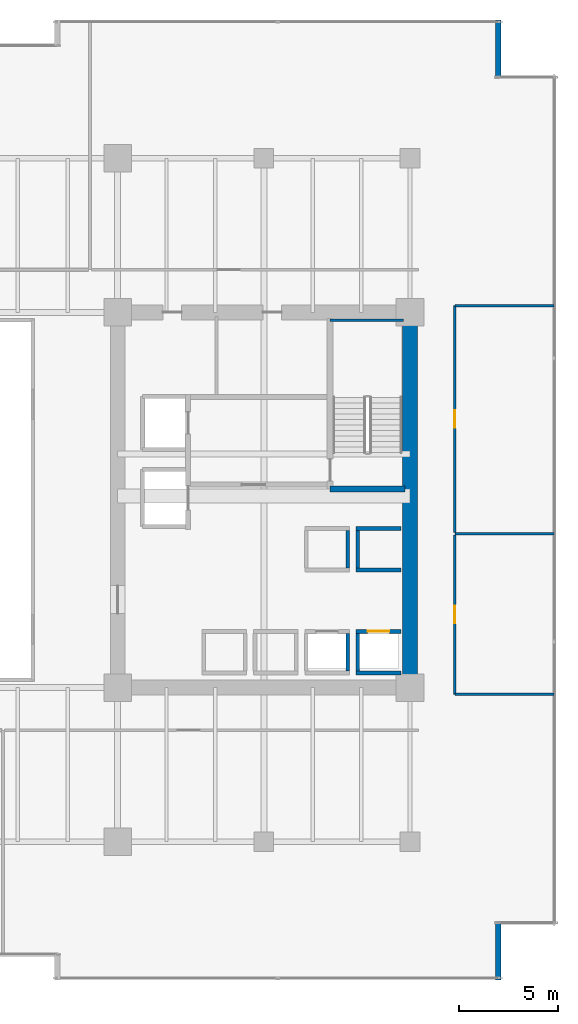
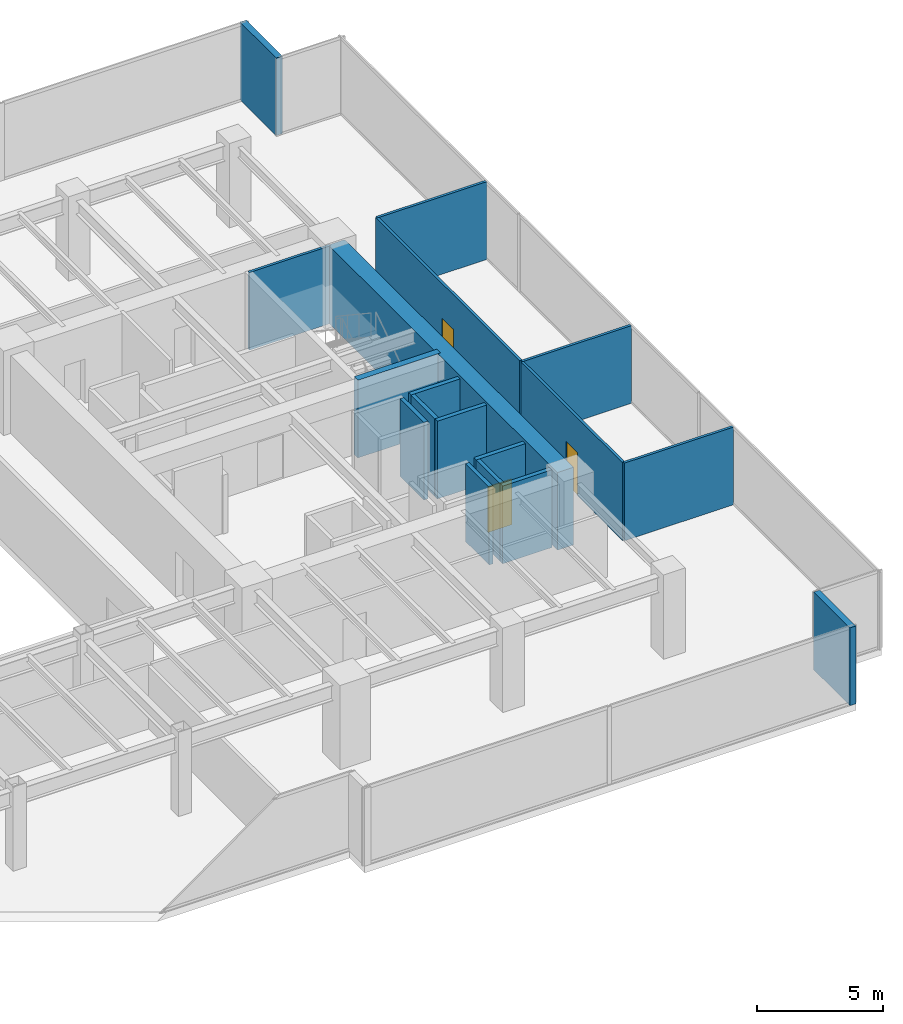
# One storey, part 32 of 35: 18 walls, 3 doors, 3 openings.
"""IFC4 building model written with IfcOpenShell, lengths in metres."""

from ifc_helpers import new_model, si_unit, direction, frame, frame_2d, origin, place, context, subcontext, project, spatial, rectangle, extrude, source, transform, mapped, material, layer, layer_set, type_object, type_shapes, element, fill, save


model = new_model("IFC4")

# Units and contexts
model_context = context("Model", 3, precision=1e-05, world=origin(), true_north=direction((0.0, 1.0)))
body_context = subcontext(model_context, "Body", "Model", "MODEL_VIEW")
ifc_project = project(units=[si_unit("LENGTHUNIT", "METRE"), si_unit("AREAUNIT", "SQUARE_METRE"), si_unit("VOLUMEUNIT", "CUBIC_METRE"), si_unit("PLANEANGLEUNIT", "RADIAN"), si_unit("MASSUNIT", "GRAM", prefix="KILO")], contexts=[model_context])

# Site, building, storey
site_placement = place(None, origin())
site = spatial("IfcSite", under=ifc_project, at=site_placement, CompositionType="ELEMENT")
building_placement = place(site_placement, origin())
building = spatial("IfcBuilding", under=site, at=building_placement, Name="Haelvirn Gate Laboratories", CompositionType="ELEMENT")
storey_placement = place(building_placement, frame((0.0, 0.0, 90.800048828125)))
storey = spatial("IfcBuildingStorey", under=building, at=storey_placement, Name="L22", CompositionType="ELEMENT", Elevation=90.800048828125)

# Walls
ifc_material_1 = material(Name="Thermally-broken bronze aluminium rainscreen & mineral wool", Category="aluminium")
ifc_layer_1 = layer(ifc_material_1, 0.280029296875, Name="EW-TERR-280")
ifc_layer_set_1 = layer_set([ifc_layer_1], Name="Thermally-broken bronze aluminium rainscreen & mineral wool")
wall_type_1 = type_object("IfcWallType", Name="EW-TERR-280", PredefinedType="STANDARD", material=ifc_layer_set_1)
wall_1_placement = place(storey_placement, frame((71.860107421875, 0.0, 0.0), z_axis=(0.0, 0.0, 1.0), x_axis=(0.0, 1.0, 0.0)))
element("IfcWall", 1, at=wall_1_placement, inside=storey, type_object=wall_type_1, Name="L22 Atrium Recess Bronze Return Wall 05", PredefinedType="STANDARD", context=body_context, shape_type="SweptSolid", body=[
    extrude(rectangle(XDim=2.887939453125, YDim=0.280029296875, at=frame_2d((1.44384765625, 0.0))), origin(), (0.0, 0.0, 1.0), 3.780029296875),
])
wall_2_placement = place(storey_placement, frame((71.860107421875, 45.7119140625, 0.0), z_axis=(0.0, 0.0, 1.0), x_axis=(0.0, 1.0, 0.0)))
element("IfcWall", 2, at=wall_2_placement, inside=storey, type_object=wall_type_1, Name="L22 Atrium Recess Bronze Return Wall 09", PredefinedType="STANDARD", context=body_context, shape_type="SweptSolid", body=[
    extrude(rectangle(XDim=2.88818359375, YDim=0.280029296875, at=frame_2d((1.444091796875, 0.0))), origin(), (0.0, 0.0, 1.0), 3.780029296875),
])
ifc_material_2 = material(Name="Lightweight acoustic gypsum board partition", Category="gypsum")
ifc_layer_2 = layer(ifc_material_2, 0.1201171875, Name="IW-PART-120")
ifc_layer_set_2 = layer_set([ifc_layer_2], Name="Lightweight acoustic gypsum board partition")
wall_type_2 = type_object("IfcWallType", Name="IW-PART-120", PredefinedType="PARTITIONING", material=ifc_layer_set_2)
for number, where, z_axis, x_axis, name in (
    (3, (69.669921875, 14.465087890625, 0.0), (0.0, 0.0, 1.0), (1.0, 0.0, 0.0), "L22 Interior Wall IW-L22-ECAP-S"),
    (4, (69.669921875, 34.135009765625, 0.0), (0.0, 0.0, 1.0), (1.0, 0.0, 0.0), "L22 Interior Wall IW-L22-ECAP-N"),
):
    element("IfcWall", number, at=place(storey_placement, frame(where, z_axis=z_axis, x_axis=x_axis)), inside=storey, type_object=wall_type_2, Name=name, PredefinedType="PARTITIONING", context=body_context, shape_type="SweptSolid", body=[
        extrude(rectangle(XDim=5.02001953125, YDim=0.1201171875, at=frame_2d((2.510009765625, 0.0))), origin(), (0.0, 0.0, 1.0), 3.780029296875),
    ])

# Wall, opening, door
wall_3_placement = place(storey_placement, frame((69.669921875, 14.465087890625, 0.0), z_axis=(0.0, 0.0, 1.0), x_axis=(0.0, 1.0, 0.0)))
wall_3 = element("IfcWall", 5, at=wall_3_placement, inside=storey, type_object=wall_type_2, Name="L22 Interior Wall IW-L22-EPASS-01", PredefinedType="PARTITIONING", context=body_context, shape_type="SweptSolid", body=[
    extrude(rectangle(XDim=8.074951171875, YDim=0.1201171875, at=frame_2d((4.03759765625, 0.0))), origin(), (0.0, 0.0, 1.0), 3.780029296875),
])
opening_1_placement = place(wall_3_placement, frame((3.58740234375, 0.0, 0.0)))
opening_1 = element("IfcOpeningElement", 6, at=opening_1_placement, cuts=wall_3, Name="Opening D4", PredefinedType="OPENING", context=body_context, shape_type="SweptSolid", body=[
    extrude(rectangle(XDim=0.89990234375, YDim=2.10009765625, at=frame_2d((0.449951171875, 1.050048828125))), frame((0.0, 0.070068359375, 0.0), z_axis=(0.0, -1.0, 0.0), x_axis=(1.0, 0.0, 0.0)), (0.0, 0.0, 1.0), 0.14013671875),
])
ifc_material_3 = material(Name="Glazed aluminium-framed write-up door", Category="aluminium")
door_type_1 = type_object("IfcDoorType", Name="DR-OFF-900", OperationType="NOTDEFINED", PredefinedType="DOOR", material=ifc_material_3)
shared_shape_1 = source(origin(), body_context, "Body", "SweptSolid", [
    extrude(rectangle(XDim=0.89990234375, YDim=2.10009765625, at=frame_2d((0.449951171875, 1.050048828125))), frame((0.0, 0.02490234375, 0.0), z_axis=(0.0, -1.0, 0.0), x_axis=(1.0, 0.0, 0.0)), (0.0, 0.0, 1.0), 0.050048828125),
])
type_shapes(door_type_1, [shared_shape_1])
door_1_placement = place(opening_1_placement, origin())
door_1 = element("IfcDoor", 7, at=door_1_placement, inside=storey, type_object=door_type_1, Name="L22 Chemical Synthesis Laboratory Door E1", OperationType="SINGLE_SWING_LEFT", OverallHeight=2.10009765625, OverallWidth=0.89990234375, PredefinedType="DOOR", context=body_context, shape_type="MappedRepresentation", body=[
    mapped(shared_shape_1, transform((0.0, 0.0, 0.0), scale=1.0)),
])
fill(opening_1, door_1)

# Wall
wall_4_placement = place(storey_placement, frame((69.669921875, 22.60009765625, 0.0), z_axis=(0.0, 0.0, 1.0), x_axis=(1.0, 0.0, 0.0)))
element("IfcWall", 8, at=wall_4_placement, inside=storey, type_object=wall_type_2, Name="L22 Interior Wall IW-L22-EDIV-01", PredefinedType="PARTITIONING", context=body_context, shape_type="SweptSolid", body=[
    extrude(rectangle(XDim=5.02001953125, YDim=0.1201171875, at=frame_2d((2.510009765625, 0.0))), origin(), (0.0, 0.0, 1.0), 3.780029296875),
])

# Wall, opening, door
wall_5_placement = place(storey_placement, frame((69.669921875, 22.659912109375, 0.0), z_axis=(0.0, 0.0, 1.0), x_axis=(0.0, 1.0, 0.0)))
wall_5 = element("IfcWall", 9, at=wall_5_placement, inside=storey, type_object=wall_type_2, Name="L22 Interior Wall IW-L22-EPASS-02", PredefinedType="PARTITIONING", context=body_context, shape_type="SweptSolid", body=[
    extrude(rectangle(XDim=11.47509765625, YDim=0.1201171875, at=frame_2d((5.737548828125, 0.0))), origin(), (0.0, 0.0, 1.0), 3.780029296875),
])
opening_2_placement = place(wall_5_placement, frame((5.28759765625, 0.0, 0.0)))
opening_2 = element("IfcOpeningElement", 10, at=opening_2_placement, cuts=wall_5, Name="Opening D4", PredefinedType="OPENING", context=body_context, shape_type="SweptSolid", body=[
    extrude(rectangle(XDim=0.89990234375, YDim=2.10009765625, at=frame_2d((0.449951171875, 1.050048828125))), frame((0.0, 0.070068359375, 0.0), z_axis=(0.0, -1.0, 0.0), x_axis=(1.0, 0.0, 0.0)), (0.0, 0.0, 1.0), 0.14013671875),
])
door_2_placement = place(opening_2_placement, origin())
door_2 = element("IfcDoor", 11, at=door_2_placement, inside=storey, type_object=door_type_1, Name="L22 Bioprocess Foundry Laboratory Door E2", OperationType="SINGLE_SWING_RIGHT", OverallHeight=2.10009765625, OverallWidth=0.89990234375, PredefinedType="DOOR", context=body_context, shape_type="MappedRepresentation", body=[
    mapped(shared_shape_1, transform((0.0, 0.0, 0.0), scale=1.0)),
])
fill(opening_2, door_2)

# Walls
ifc_material_4 = material(Name="Concrete C40/50", Category="concrete")
ifc_layer_3 = layer(ifc_material_4, 0.179931640625, Name="IW-SHAFT-180")
ifc_layer_set_3 = layer_set([ifc_layer_3], Name="Concrete C40/50")
wall_type_3 = type_object("IfcWallType", Name="IW-SHAFT-180", PredefinedType="SOLIDWALL", material=ifc_layer_set_3)
for number, where, z_axis, x_axis, name in (
    (12, (64.75, 15.64990234375, 0.0), (0.0, 0.0, 1.0), (0.0, 1.0, 0.0), "L22 Interior Wall IW-L22-PL3-SD"),
    (13, (64.25, 15.64990234375, 0.0), (0.0, 0.0, 1.0), (0.0, 1.0, 0.0), "L22 Interior Wall IW-L22-PL4-SDE"),
):
    element("IfcWall", number, at=place(storey_placement, frame(where, z_axis=z_axis, x_axis=x_axis)), inside=storey, type_object=wall_type_3, Name=name, PredefinedType="SOLIDWALL", context=body_context, shape_type="SweptSolid", body=[
        extrude(rectangle(XDim=1.900146484375, YDim=0.179931640625, at=frame_2d((0.9501953125, 0.0))), origin(), (0.0, 0.0, 1.0), 3.780029296875),
    ])
for number, where, z_axis, x_axis, name in (
    (14, (64.75, 20.85009765625, 0.0), (0.0, 0.0, 1.0), (0.0, 1.0, 0.0), "L22 Interior Wall IW-L22-PL11-SD"),
    (15, (64.25, 20.85009765625, 0.0), (0.0, 0.0, 1.0), (0.0, 1.0, 0.0), "L22 Interior Wall IW-L22-PL12-SDE"),
):
    element("IfcWall", number, at=place(storey_placement, frame(where, z_axis=z_axis, x_axis=x_axis)), inside=storey, type_object=wall_type_3, Name=name, PredefinedType="SOLIDWALL", context=body_context, shape_type="SweptSolid", body=[
        extrude(rectangle(XDim=1.89990234375, YDim=0.179931640625, at=frame_2d((0.949951171875, 0.0))), origin(), (0.0, 0.0, 1.0), 3.780029296875),
    ])

# Wall, opening, door
ifc_layer_4 = layer(ifc_material_4, 0.199951171875, Name="IW-SHAFT-200")
ifc_layer_set_4 = layer_set([ifc_layer_4], Name="Concrete C40/50")
wall_type_4 = type_object("IfcWallType", Name="IW-SHAFT-200", PredefinedType="SOLIDWALL", material=ifc_layer_set_4)
wall_6_placement = place(storey_placement, frame((64.669921875, 17.64990234375, 0.0), z_axis=(0.0, 0.0, 1.0), x_axis=(1.0, 0.0, 0.0)))
wall_6 = element("IfcWall", 16, at=wall_6_placement, inside=storey, type_object=wall_type_4, Name="L22 Interior Wall IW-L22-PL3-FR", PredefinedType="SOLIDWALL", context=body_context, shape_type="SweptSolid", body=[
    extrude(rectangle(XDim=2.260009765625, YDim=0.199951171875, at=frame_2d((1.1298828125, 0.0))), origin(), (0.0, 0.0, 1.0), 3.780029296875),
])
opening_3_placement = place(wall_6_placement, frame((0.580078125, 0.0, 0.0)))
opening_3 = element("IfcOpeningElement", 17, at=opening_3_placement, cuts=wall_6, Name="Opening LD2", PredefinedType="OPENING", context=body_context, shape_type="SweptSolid", body=[
    extrude(rectangle(XDim=1.10009765625, YDim=2.219970703125, at=frame_2d((0.550048828125, 1.10986328125))), frame((0.0, 0.10986328125, 0.0), z_axis=(0.0, -1.0, 0.0), x_axis=(1.0, 0.0, 0.0)), (0.0, 0.0, 1.0), 0.219970703125),
])
ifc_material_5 = material(Name="Bronze stainless 316L sliding lift landing door")
door_type_2 = type_object("IfcDoorType", Name="DR-LD-1100", OperationType="NOTDEFINED", PredefinedType="USERDEFINED", material=ifc_material_5)
shared_shape_2 = source(origin(), body_context, "Body", "SweptSolid", [
    extrude(rectangle(XDim=1.10009765625, YDim=2.219970703125, at=frame_2d((0.550048828125, 1.10986328125))), frame((0.0, 0.02490234375, 0.0), z_axis=(0.0, -1.0, 0.0), x_axis=(1.0, 0.0, 0.0)), (0.0, 0.0, 1.0), 0.050048828125),
])
type_shapes(door_type_2, [shared_shape_2])
door_3_placement = place(opening_3_placement, origin())
door_3 = element("IfcDoor", 18, at=door_3_placement, inside=storey, type_object=door_type_2, Name="L22 Passenger Lift PL3 Landing Door", ObjectType="LANDING_DOOR", OperationType="SLIDING_TO_LEFT", OverallHeight=2.219970703125, OverallWidth=1.10009765625, PredefinedType="USERDEFINED", context=body_context, shape_type="MappedRepresentation", body=[
    mapped(shared_shape_2, transform((0.0, 0.0, 0.0), scale=1.0)),
])
fill(opening_3, door_3)

# Walls
for number, where, z_axis, x_axis, name in (
    (19, (64.669921875, 15.550048828125, 0.0), (0.0, 0.0, 1.0), (1.0, 0.0, 0.0), "L22 Interior Wall IW-L22-PL3-BK"),
    (20, (64.669921875, 20.75, 0.0), (0.0, 0.0, 1.0), (1.0, 0.0, 0.0), "L22 Interior Wall IW-L22-PL11-FR"),
    (21, (64.669921875, 22.85009765625, 0.0), (0.0, 0.0, 1.0), (1.0, 0.0, 0.0), "L22 Interior Wall IW-L22-PL11-BK"),
):
    element("IfcWall", number, at=place(storey_placement, frame(where, z_axis=z_axis, x_axis=x_axis)), inside=storey, type_object=wall_type_4, Name=name, PredefinedType="SOLIDWALL", context=body_context, shape_type="SweptSolid", body=[
        extrude(rectangle(XDim=2.260009765625, YDim=0.199951171875, at=frame_2d((1.1298828125, 0.0))), origin(), (0.0, 0.0, 1.0), 3.780029296875),
    ])
ifc_material_6 = material(Name="Concrete C70/85", Category="concrete")
ifc_layer_5 = layer(ifc_material_6, 0.75, Name="SW-CORE-750")
ifc_layer_set_5 = layer_set([ifc_layer_5], Name="Concrete C70/85")
wall_type_5 = type_object("IfcWallType", Name="SW-CORE-750", PredefinedType="SHEAR", material=ifc_layer_set_5)
wall_7_placement = place(storey_placement, frame((67.39990234375, 15.175048828125, 0.0), z_axis=(0.0, 0.0, 1.0), x_axis=(0.0, 1.0, 0.0)))
element("IfcWall", 22, at=wall_7_placement, inside=storey, type_object=wall_type_5, Name="L22 E Core Shear Wall E", PredefinedType="SHEAR", context=body_context, shape_type="SweptSolid", body=[
    extrude(rectangle(XDim=18.25, YDim=0.75, at=frame_2d((9.125, 0.0))), origin(), (0.0, 0.0, 1.0), 3.780029296875),
])
ifc_material_7 = material(Name="Concrete C50/60", Category="concrete")
ifc_layer_6 = layer(ifc_material_7, 0.1201171875, Name="SW-LINER-120")
ifc_layer_set_6 = layer_set([ifc_layer_6], Name="Concrete C50/60")
wall_type_6 = type_object("IfcWallType", Name="SW-LINER-120", PredefinedType="SOLIDWALL", material=ifc_layer_set_6)
wall_8_placement = place(storey_placement, frame((63.35009765625, 33.39990234375, 0.0), z_axis=(0.0, 0.0, 1.0), x_axis=(1.0, 0.0, 0.0)))
element("IfcWall", 23, at=wall_8_placement, inside=storey, type_object=wall_type_6, Name="L22 E Core Stair Shaft Liner Wall N", PredefinedType="SOLIDWALL", context=body_context, shape_type="SweptSolid", body=[
    extrude(rectangle(XDim=3.719970703125, YDim=0.1201171875, at=frame_2d((1.85986328125, 0.0))), origin(), (0.0, 0.0, 1.0), 3.780029296875),
])
ifc_layer_7 = layer(ifc_material_7, 0.300048828125, Name="SW-STAIR-300")
ifc_layer_set_7 = layer_set([ifc_layer_7], Name="Concrete C50/60")
wall_type_7 = type_object("IfcWallType", Name="SW-STAIR-300", PredefinedType="SHEAR", material=ifc_layer_set_7)
wall_9_placement = place(storey_placement, frame((63.35009765625, 24.85009765625, 0.0), z_axis=(0.0, 0.0, 1.0), x_axis=(1.0, 0.0, 0.0)))
element("IfcWall", 24, at=wall_9_placement, inside=storey, type_object=wall_type_7, Name="L22 E Core Stair Shaft Structural Wall S", PredefinedType="SHEAR", context=body_context, shape_type="SweptSolid", body=[
    extrude(rectangle(XDim=3.7998046875, YDim=0.300048828125, at=frame_2d((1.89990234375, 0.0))), origin(), (0.0, 0.0, 1.0), 3.780029296875),
])

save(model, "model.ifc")
